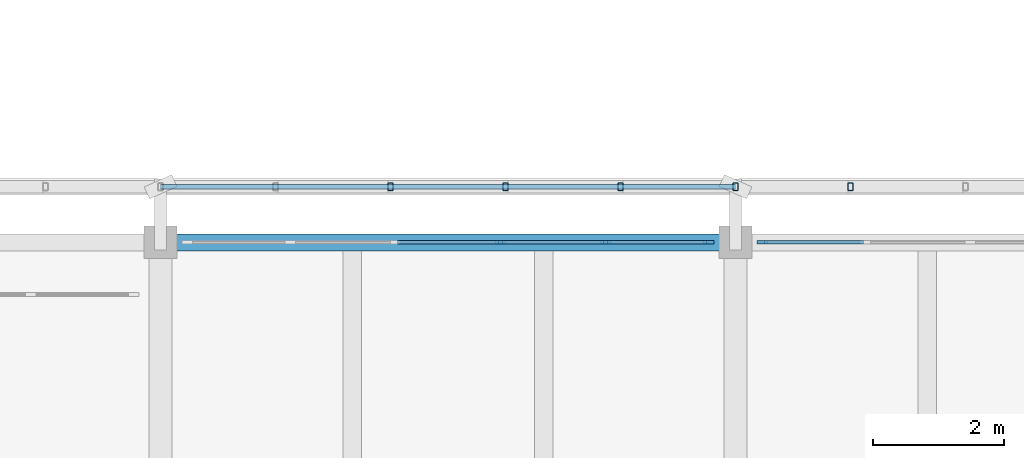
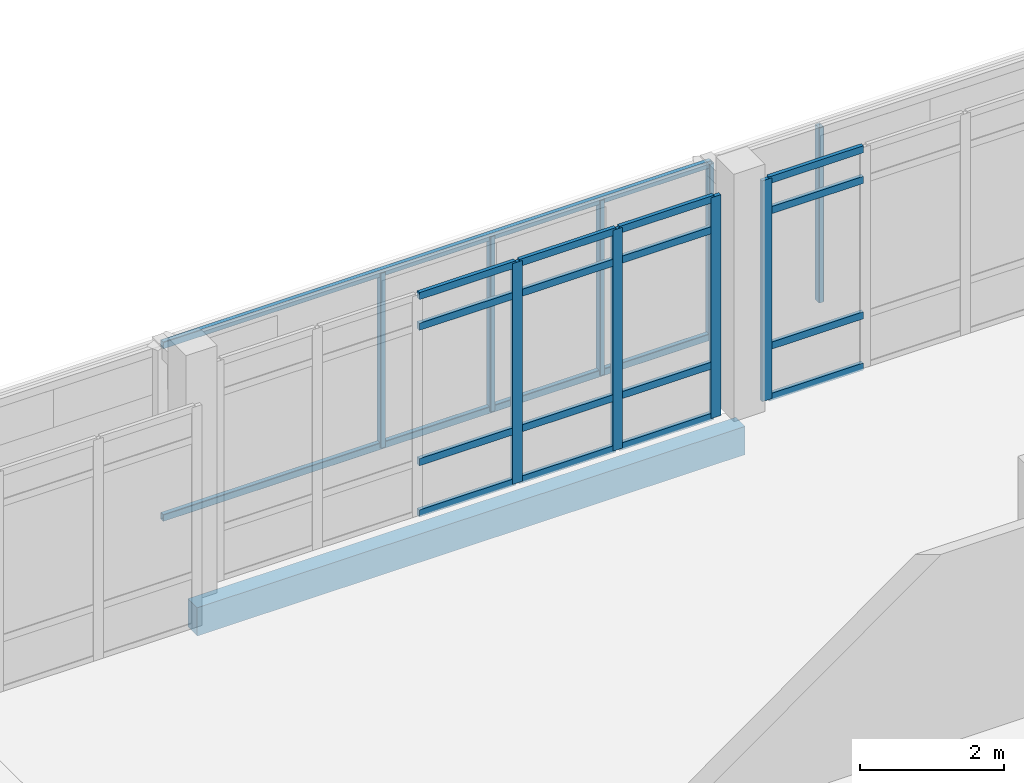
# One storey, part 31 of 137: 27 members, 1 beam, 2 elements without a shape of their own.
"""IFC4 building model written with IfcOpenShell, lengths in metres."""

from ifc_helpers import new_model, si_unit, direction, frame, origin, origin_2d, place, context, subcontext, project, spatial, rectangle, hollow_rectangle, extrude, material, material_profile, profile_set, type_object, element, aggregate, save


model = new_model("IFC4")

# Units and contexts
model_context = context("Model", 3, precision=1e-05, world=origin(), true_north=direction((0.0, 1.0)))
body_context = subcontext(model_context, "Body", "Model", "MODEL_VIEW")
ifc_project = project(units=[si_unit("LENGTHUNIT", "METRE"), si_unit("AREAUNIT", "SQUARE_METRE"), si_unit("VOLUMEUNIT", "CUBIC_METRE"), si_unit("PLANEANGLEUNIT", "RADIAN"), si_unit("MASSUNIT", "GRAM", prefix="KILO")], contexts=[model_context])

# Site, building, storey
site_placement = place(None, origin())
site = spatial("IfcSite", under=ifc_project, at=site_placement, CompositionType="ELEMENT")
building_placement = place(site_placement, origin())
building = spatial("IfcBuilding", under=site, at=building_placement, Name="Cinderway Yard Community Centre", CompositionType="ELEMENT")
storey_placement = place(building_placement, frame((0.0, 0.0, 4.800048828125)))
storey = spatial("IfcBuildingStorey", under=building, at=storey_placement, Name="L01", CompositionType="ELEMENT", Elevation=4.800048828125)

# Curtain wall, members
ifc_material_1 = material(Name="Aluminium 6063-T6", Category="aluminium")
curtain_wall_type = type_object("IfcCurtainWallType", Name="ENV-CW-TYPE-27", PredefinedType="USERDEFINED", material=ifc_material_1)
curtain_wall_1_placement = place(storey_placement, origin())
curtain_wall_1 = element("IfcCurtainWall", 1, at=curtain_wall_1_placement, inside=storey, type_object=curtain_wall_type, Name="Dining Courtyard Curtain Wall ENV-CW-L01-ST-0097", ObjectType="GLAZED CURTAIN WALL", PredefinedType="USERDEFINED")
ifc_material_profile_1 = material_profile(ifc_material_1, rectangle(XDim=0.06005859375, YDim=0.159912109375, at=origin_2d()), Name="Aluminium 6063-T6")
ifc_profile_set_1 = profile_set([ifc_material_profile_1], Name="Aluminium 6063-T6")
member_type_1 = type_object("IfcMemberType", Name="ENV-CW-MULL-150", PredefinedType="MULLION", material=ifc_profile_set_1)
member_1_placement = place(storey_placement, frame((98.00390625, 22.800048828125, 0.0), z_axis=(0.0, 0.0, 1.0), x_axis=(0.0, 1.0, 0.0)))
member_1 = element("IfcMember", 2, at=member_1_placement, type_object=member_type_1, Name="CW-27 mullion 4", PredefinedType="MULLION", context=body_context, shape_type="SweptSolid", body=[
    extrude(rectangle(XDim=0.06005859375, YDim=0.159912109375, at=origin_2d()), origin(), (0.0, 0.0, 1.0), 3.75),
])
member_2_placement = place(storey_placement, frame((99.612060546875, 22.800048828125, 0.0), z_axis=(0.0, 0.0, 1.0), x_axis=(0.0, 1.0, 0.0)))
member_2 = element("IfcMember", 3, at=member_2_placement, type_object=member_type_1, Name="CW-27 mullion 5", PredefinedType="MULLION", context=body_context, shape_type="SweptSolid", body=[
    extrude(rectangle(XDim=0.06005859375, YDim=0.159912109375, at=origin_2d()), origin(), (0.0, 0.0, 1.0), 3.75),
])
member_3_placement = place(storey_placement, frame((101.18994140625, 22.800048828125, 0.0), z_axis=(0.0, 0.0, 1.0), x_axis=(0.0, 1.0, 0.0)))
member_3 = element("IfcMember", 4, at=member_3_placement, type_object=member_type_1, Name="CW-27 mullion 6", PredefinedType="MULLION", context=body_context, shape_type="SweptSolid", body=[
    extrude(rectangle(XDim=0.06005859375, YDim=0.159912109375, at=origin_2d()), origin(), (0.0, 0.0, 1.0), 3.75),
])

# Curtain wall, member
curtain_wall_2_placement = place(storey_placement, origin())
curtain_wall_2 = element("IfcCurtainWall", 5, at=curtain_wall_2_placement, inside=storey, type_object=curtain_wall_type, Name="Dining Courtyard Curtain Wall ENV-CW-L01-ST-0098", ObjectType="GLAZED CURTAIN WALL", PredefinedType="USERDEFINED")
member_4_placement = place(storey_placement, frame((102.010009765625, 22.800048828125, 0.0), z_axis=(0.0, 0.0, 1.0), x_axis=(0.0, 1.0, 0.0)))
member_4 = element("IfcMember", 6, at=member_4_placement, type_object=member_type_1, Name="CW-27 mullion 1", PredefinedType="MULLION", context=body_context, shape_type="SweptSolid", body=[
    extrude(rectangle(XDim=0.06005859375, YDim=0.159912109375, at=origin_2d()), origin(), (0.0, 0.0, 1.0), 3.75),
])

# Member
ifc_material_profile_2 = material_profile(ifc_material_1, rectangle(XDim=0.06005859375, YDim=0.1201171875, at=origin_2d()), Name="Aluminium 6063-T6")
ifc_profile_set_2 = profile_set([ifc_material_profile_2], Name="Aluminium 6063-T6")
member_type_2 = type_object("IfcMemberType", Name="ENV-CW-TRAN-110", PredefinedType="USERDEFINED", material=ifc_profile_set_2)
member_5_placement = place(storey_placement, frame((96.426025390625, 22.800048828125, 0.030029296875), z_axis=(1.0, 0.0, 0.0), x_axis=(0.0, 1.0, 0.0)))
member_5 = element("IfcMember", 7, at=member_5_placement, type_object=member_type_2, Name="CW-27 transom 3.1", ObjectType="TRANSOM", PredefinedType="USERDEFINED", context=body_context, shape_type="SweptSolid", body=[
    extrude(rectangle(XDim=0.06005859375, YDim=0.1201171875, at=origin_2d()), origin(), (0.0, 0.0, 1.0), 1.548095703125),
])

member_6_placement = place(storey_placement, frame((96.426025390625, 22.800048828125, 0.89990234375), z_axis=(1.0, 0.0, 0.0), x_axis=(0.0, 1.0, 0.0)))
member_6 = element("IfcMember", 8, at=member_6_placement, type_object=member_type_2, Name="CW-27 transom 3.2", ObjectType="TRANSOM", PredefinedType="USERDEFINED", context=body_context, shape_type="SweptSolid", body=[
    extrude(rectangle(XDim=0.06005859375, YDim=0.1201171875, at=origin_2d()), origin(), (0.0, 0.0, 1.0), 1.548095703125),
])

member_7_placement = place(storey_placement, frame((96.426025390625, 22.800048828125, 3.199951171875), z_axis=(1.0, 0.0, 0.0), x_axis=(0.0, 1.0, 0.0)))
member_7 = element("IfcMember", 9, at=member_7_placement, type_object=member_type_2, Name="CW-27 transom 3.3", ObjectType="TRANSOM", PredefinedType="USERDEFINED", context=body_context, shape_type="SweptSolid", body=[
    extrude(rectangle(XDim=0.06005859375, YDim=0.1201171875, at=origin_2d()), origin(), (0.0, 0.0, 1.0), 1.548095703125),
])

member_8_placement = place(storey_placement, frame((96.426025390625, 22.800048828125, 3.719970703125), z_axis=(1.0, 0.0, 0.0), x_axis=(0.0, 1.0, 0.0)))
member_8 = element("IfcMember", 10, at=member_8_placement, type_object=member_type_2, Name="CW-27 transom 3.4", ObjectType="TRANSOM", PredefinedType="USERDEFINED", context=body_context, shape_type="SweptSolid", body=[
    extrude(rectangle(XDim=0.06005859375, YDim=0.1201171875, at=origin_2d()), origin(), (0.0, 0.0, 1.0), 1.548095703125),
])

member_9_placement = place(storey_placement, frame((98.033935546875, 22.800048828125, 0.030029296875), z_axis=(1.0, 0.0, 0.0), x_axis=(0.0, 1.0, 0.0)))
member_9 = element("IfcMember", 11, at=member_9_placement, type_object=member_type_2, Name="CW-27 transom 4.1", ObjectType="TRANSOM", PredefinedType="USERDEFINED", context=body_context, shape_type="SweptSolid", body=[
    extrude(rectangle(XDim=0.06005859375, YDim=0.1201171875, at=origin_2d()), origin(), (0.0, 0.0, 1.0), 1.548095703125),
])

member_10_placement = place(storey_placement, frame((98.033935546875, 22.800048828125, 0.89990234375), z_axis=(1.0, 0.0, 0.0), x_axis=(0.0, 1.0, 0.0)))
member_10 = element("IfcMember", 12, at=member_10_placement, type_object=member_type_2, Name="CW-27 transom 4.2", ObjectType="TRANSOM", PredefinedType="USERDEFINED", context=body_context, shape_type="SweptSolid", body=[
    extrude(rectangle(XDim=0.06005859375, YDim=0.1201171875, at=origin_2d()), origin(), (0.0, 0.0, 1.0), 1.548095703125),
])

member_11_placement = place(storey_placement, frame((98.033935546875, 22.800048828125, 3.199951171875), z_axis=(1.0, 0.0, 0.0), x_axis=(0.0, 1.0, 0.0)))
member_11 = element("IfcMember", 13, at=member_11_placement, type_object=member_type_2, Name="CW-27 transom 4.3", ObjectType="TRANSOM", PredefinedType="USERDEFINED", context=body_context, shape_type="SweptSolid", body=[
    extrude(rectangle(XDim=0.06005859375, YDim=0.1201171875, at=origin_2d()), origin(), (0.0, 0.0, 1.0), 1.548095703125),
])

member_12_placement = place(storey_placement, frame((98.033935546875, 22.800048828125, 3.719970703125), z_axis=(1.0, 0.0, 0.0), x_axis=(0.0, 1.0, 0.0)))
member_12 = element("IfcMember", 14, at=member_12_placement, type_object=member_type_2, Name="CW-27 transom 4.4", ObjectType="TRANSOM", PredefinedType="USERDEFINED", context=body_context, shape_type="SweptSolid", body=[
    extrude(rectangle(XDim=0.06005859375, YDim=0.1201171875, at=origin_2d()), origin(), (0.0, 0.0, 1.0), 1.548095703125),
])

member_13_placement = place(storey_placement, frame((99.64208984375, 22.800048828125, 0.030029296875), z_axis=(1.0, 0.0, 0.0), x_axis=(0.0, 1.0, 0.0)))
member_13 = element("IfcMember", 15, at=member_13_placement, type_object=member_type_2, Name="CW-27 transom 5.1", ObjectType="TRANSOM", PredefinedType="USERDEFINED", context=body_context, shape_type="SweptSolid", body=[
    extrude(rectangle(XDim=0.06005859375, YDim=0.1201171875, at=origin_2d()), origin(), (0.0, 0.0, 1.0), 1.517822265625),
])

member_14_placement = place(storey_placement, frame((99.64208984375, 22.800048828125, 0.89990234375), z_axis=(1.0, 0.0, 0.0), x_axis=(0.0, 1.0, 0.0)))
member_14 = element("IfcMember", 16, at=member_14_placement, type_object=member_type_2, Name="CW-27 transom 5.2", ObjectType="TRANSOM", PredefinedType="USERDEFINED", context=body_context, shape_type="SweptSolid", body=[
    extrude(rectangle(XDim=0.06005859375, YDim=0.1201171875, at=origin_2d()), origin(), (0.0, 0.0, 1.0), 1.517822265625),
])

member_15_placement = place(storey_placement, frame((99.64208984375, 22.800048828125, 3.199951171875), z_axis=(1.0, 0.0, 0.0), x_axis=(0.0, 1.0, 0.0)))
member_15 = element("IfcMember", 17, at=member_15_placement, type_object=member_type_2, Name="CW-27 transom 5.3", ObjectType="TRANSOM", PredefinedType="USERDEFINED", context=body_context, shape_type="SweptSolid", body=[
    extrude(rectangle(XDim=0.06005859375, YDim=0.1201171875, at=origin_2d()), origin(), (0.0, 0.0, 1.0), 1.517822265625),
])

member_16_placement = place(storey_placement, frame((99.64208984375, 22.800048828125, 3.719970703125), z_axis=(1.0, 0.0, 0.0), x_axis=(0.0, 1.0, 0.0)))
member_16 = element("IfcMember", 18, at=member_16_placement, type_object=member_type_2, Name="CW-27 transom 5.4", ObjectType="TRANSOM", PredefinedType="USERDEFINED", context=body_context, shape_type="SweptSolid", body=[
    extrude(rectangle(XDim=0.06005859375, YDim=0.1201171875, at=origin_2d()), origin(), (0.0, 0.0, 1.0), 1.517822265625),
])

aggregate(curtain_wall_1, [member_1, member_2, member_3, member_5, member_6, member_7, member_8, member_9, member_10, member_11, member_12, member_13, member_14, member_15, member_16])

member_17_placement = place(storey_placement, frame((102.0400390625, 22.800048828125, 0.030029296875), z_axis=(1.0, 0.0, 0.0), x_axis=(0.0, 1.0, 0.0)))
member_17 = element("IfcMember", 19, at=member_17_placement, type_object=member_type_2, Name="CW-27 transom 1.1", ObjectType="TRANSOM", PredefinedType="USERDEFINED", context=body_context, shape_type="SweptSolid", body=[
    extrude(rectangle(XDim=0.06005859375, YDim=0.1201171875, at=origin_2d()), origin(), (0.0, 0.0, 1.0), 1.51806640625),
])

member_18_placement = place(storey_placement, frame((102.0400390625, 22.800048828125, 0.89990234375), z_axis=(1.0, 0.0, 0.0), x_axis=(0.0, 1.0, 0.0)))
member_18 = element("IfcMember", 20, at=member_18_placement, type_object=member_type_2, Name="CW-27 transom 1.2", ObjectType="TRANSOM", PredefinedType="USERDEFINED", context=body_context, shape_type="SweptSolid", body=[
    extrude(rectangle(XDim=0.06005859375, YDim=0.1201171875, at=origin_2d()), origin(), (0.0, 0.0, 1.0), 1.51806640625),
])

member_19_placement = place(storey_placement, frame((102.0400390625, 22.800048828125, 3.199951171875), z_axis=(1.0, 0.0, 0.0), x_axis=(0.0, 1.0, 0.0)))
member_19 = element("IfcMember", 21, at=member_19_placement, type_object=member_type_2, Name="CW-27 transom 1.3", ObjectType="TRANSOM", PredefinedType="USERDEFINED", context=body_context, shape_type="SweptSolid", body=[
    extrude(rectangle(XDim=0.06005859375, YDim=0.1201171875, at=origin_2d()), origin(), (0.0, 0.0, 1.0), 1.51806640625),
])

member_20_placement = place(storey_placement, frame((102.0400390625, 22.800048828125, 3.719970703125), z_axis=(1.0, 0.0, 0.0), x_axis=(0.0, 1.0, 0.0)))
member_20 = element("IfcMember", 22, at=member_20_placement, type_object=member_type_2, Name="CW-27 transom 1.4", ObjectType="TRANSOM", PredefinedType="USERDEFINED", context=body_context, shape_type="SweptSolid", body=[
    extrude(rectangle(XDim=0.06005859375, YDim=0.1201171875, at=origin_2d()), origin(), (0.0, 0.0, 1.0), 1.51806640625),
])

aggregate(curtain_wall_2, [member_4, member_17, member_18, member_19, member_20])

# Members
ifc_material_2 = material(Name="Steel S355", Category="steel")
ifc_material_profile_3 = material_profile(ifc_material_2, hollow_rectangle(XDim=0.080078125, YDim=0.1201171875, WallThickness=0.00634765625, InnerFilletRadius=0.00634765625, OuterFilletRadius=0.0126953125, at=origin_2d()), Name="Steel S355")
ifc_profile_set_3 = profile_set([ifc_material_profile_3], Name="Steel S355")
member_type_3 = type_object("IfcMemberType", Name="ENV-MEM-SCREEN-RAIL-120", PredefinedType="STRINGER", material=ifc_profile_set_3)
for number, where, z_axis, x_axis, name in (
    (23, (92.800048828125, 23.64990234375, 0.7099609375), (1.0, 0.0, 0.0), (0.0, 1.0, 0.0), "Screen support rail 0626-BOT"),
    (24, (92.800048828125, 23.64990234375, 3.639892578125), (1.0, 0.0, 0.0), (0.0, 1.0, 0.0), "Screen support rail 0627-TOP"),
):
    element("IfcMember", number, at=place(storey_placement, frame(where, z_axis=z_axis, x_axis=x_axis)), inside=storey, type_object=member_type_3, Name=name, PredefinedType="STRINGER", context=body_context, shape_type="SweptSolid", body=[
        extrude(hollow_rectangle(XDim=0.080078125, YDim=0.1201171875, WallThickness=0.00634765625, InnerFilletRadius=0.00634765625, OuterFilletRadius=0.0126953125, at=origin_2d()), origin(), (0.0, 0.0, 1.0), 8.800048828125),
    ])
for number, where, z_axis, x_axis, name in (
    (25, (96.320068359375, 23.64990234375, 0.68994140625), (0.0, 0.0, 1.0), (1.0, 0.0, 0.0), "Screen vertical mullion 0629"),
    (26, (98.080078125, 23.64990234375, 0.68994140625), (0.0, 0.0, 1.0), (1.0, 0.0, 0.0), "Screen vertical mullion 0630"),
    (27, (99.840087890625, 23.64990234375, 0.68994140625), (0.0, 0.0, 1.0), (1.0, 0.0, 0.0), "Screen vertical mullion 0631"),
    (28, (101.60009765625, 23.64990234375, 0.68994140625), (0.0, 0.0, 1.0), (1.0, 0.0, 0.0), "Screen vertical mullion 0632"),
    (29, (103.360107421875, 23.64990234375, 0.68994140625), (0.0, 0.0, 1.0), (1.0, 0.0, 0.0), "Screen vertical mullion 0636"),
):
    element("IfcMember", number, at=place(storey_placement, frame(where, z_axis=z_axis, x_axis=x_axis)), inside=storey, type_object=member_type_3, Name=name, PredefinedType="STRINGER", context=body_context, shape_type="SweptSolid", body=[
        extrude(hollow_rectangle(XDim=0.080078125, YDim=0.1201171875, WallThickness=0.00634765625, InnerFilletRadius=0.00634765625, OuterFilletRadius=0.0126953125, at=origin_2d()), origin(), (0.0, 0.0, 1.0), 2.969970703125),
    ])

# Beam
ifc_material_3 = material(Name="Concrete C40/50", Category="concrete")
ifc_material_profile_4 = material_profile(ifc_material_3, rectangle(XDim=0.260009765625, YDim=0.47998046875, at=origin_2d()), Name="Concrete C40/50")
ifc_profile_set_4 = profile_set([ifc_material_profile_4], Name="Concrete C40/50")
beam_type = type_object("IfcBeamType", Name="STR-BM-RC260X480", PredefinedType="SPANDREL", material=ifc_profile_set_4)
beam_placement = place(storey_placement, frame((92.800048828125, 22.800048828125, -0.47998046875), z_axis=(1.0, 0.0, 0.0), x_axis=(0.0, 1.0, 0.0)))
element("IfcBeam", 30, at=beam_placement, inside=storey, type_object=beam_type, Name="Primary girder STR-BM-L01-SP01-0129", PredefinedType="SPANDREL", context=body_context, shape_type="SweptSolid", body=[
    extrude(rectangle(XDim=0.260009765625, YDim=0.47998046875, at=origin_2d()), origin(), (0.0, 0.0, 1.0), 8.800048828125),
])

save(model, "model.ifc")
